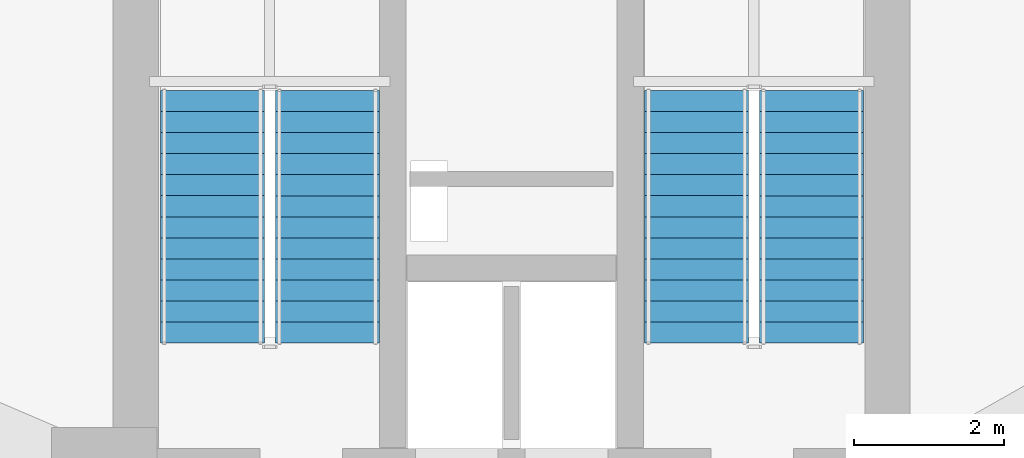
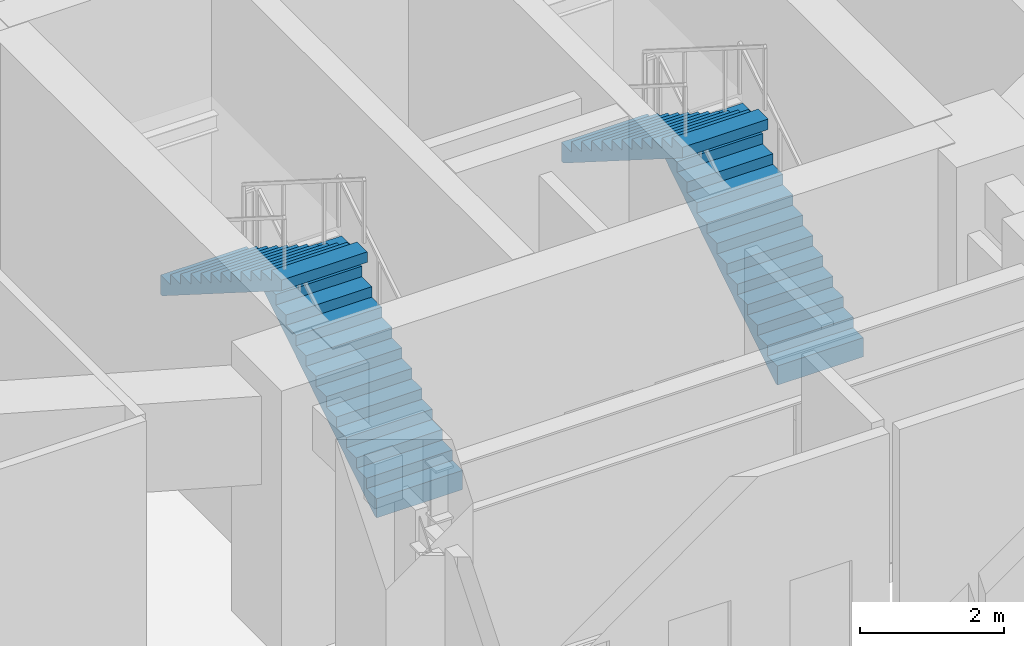
# One storey, part 7 of 9: 4 stair flights, 2 elements without a shape of their own.
"""IFC4 building model written with IfcOpenShell, lengths in metres."""

from ifc_helpers import new_model, si_unit, direction, frame, origin, place, context, subcontext, project, spatial, polyline, outline, extrude, material, type_object, element, aggregate, save


model = new_model("IFC4")

# Units and contexts
model_context = context("Model", 3, precision=1e-05, world=origin(), true_north=direction((0.0, 1.0)))
body_context = subcontext(model_context, "Body", "Model", "MODEL_VIEW")
ifc_project = project(units=[si_unit("LENGTHUNIT", "METRE"), si_unit("AREAUNIT", "SQUARE_METRE"), si_unit("VOLUMEUNIT", "CUBIC_METRE"), si_unit("PLANEANGLEUNIT", "RADIAN"), si_unit("MASSUNIT", "GRAM", prefix="KILO")], contexts=[model_context])

# Site, building, storey
site_placement = place(None, origin())
site = spatial("IfcSite", under=ifc_project, at=site_placement, CompositionType="ELEMENT")
building_placement = place(site_placement, origin())
building = spatial("IfcBuilding", under=site, at=building_placement, Name="Varnakorn Sky Granary", CompositionType="ELEMENT")
storey_placement = place(building_placement, frame((0.0, 0.0, 23.0)))
storey = spatial("IfcBuildingStorey", under=building, at=storey_placement, Name="L05", CompositionType="ELEMENT", Elevation=23.0)

# Stair, stair flights
ifc_material = material(Name="Concrete C40/50", Category="concrete")
stair_type = type_object("IfcStairType", Name="ST-MAIN-ASSEMBLY", PredefinedType="HALF_TURN_STAIR", material=ifc_material)
stair_1_placement = place(storey_placement, origin())
stair_1 = element("IfcStair", 1, at=stair_1_placement, inside=storey, type_object=stair_type, Name="L05 Protected Exit Stair ST-1", PredefinedType="HALF_TURN_STAIR")
stair_flight_type = type_object("IfcStairFlightType", Name="ST-MAIN-FLIGHT", PredefinedType="STRAIGHT", material=ifc_material)
stair_flight_1_placement = place(storey_placement, frame((0.550048828125, 5.199951171875, 0.0), z_axis=(0.0, 0.0, 1.0), x_axis=(0.0, 1.0, 0.0)))
stair_flight_1 = element("IfcStairFlight", 2, at=stair_flight_1_placement, type_object=stair_flight_type, Name="ST-1 flight 1", NumberOfRisers=13, NumberOfTreads=12, PredefinedType="STRAIGHT", RiserHeight=0.176923077, TreadLength=0.28, context=body_context, shape_type="SweptSolid", body=[
    extrude(outline(polyline([(0.0, -0.14990234375), (0.0, 0.0), (0.0, 0.177001953125), (0.280029296875, 0.177001953125), (0.280029296875, 0.353759765625), (0.56005859375, 0.353759765625), (0.56005859375, 0.53076171875), (0.840087890625, 0.53076171875), (0.840087890625, 0.707763671875), (1.1201171875, 0.707763671875), (1.1201171875, 0.884521484375), (1.39990234375, 0.884521484375), (1.39990234375, 1.0615234375), (1.679931640625, 1.0615234375), (1.679931640625, 1.238525390625), (1.9599609375, 1.238525390625), (1.9599609375, 1.415283203125), (2.239990234375, 1.415283203125), (2.239990234375, 1.59228515625), (2.52001953125, 1.59228515625), (2.52001953125, 1.769287109375), (2.800048828125, 1.769287109375), (2.800048828125, 1.946044921875), (3.080078125, 1.946044921875), (3.080078125, 2.123046875), (3.360107421875, 2.123046875), (3.360107421875, 2.300048828125), (3.360107421875, 1.94580078125), (0.050048828125, -0.14990234375), (0.0, -0.14990234375)])), frame((0.0, 0.68994140625, 0.0), z_axis=(0.0, -1.0, 0.0), x_axis=(1.0, 0.0, 0.0)), (0.0, 0.0, 1.0), 1.3798828125),
])
stair_flight_2_placement = place(storey_placement, frame((-0.97998046875, 8.56005859375, 2.300048828125), z_axis=(0.0, 0.0, 1.0), x_axis=(0.0, -1.0, 0.0)))
stair_flight_2 = element("IfcStairFlight", 3, at=stair_flight_2_placement, type_object=stair_flight_type, Name="ST-1 flight 2", NumberOfRisers=13, NumberOfTreads=12, PredefinedType="STRAIGHT", RiserHeight=0.176923077, TreadLength=0.28, context=body_context, shape_type="SweptSolid", body=[
    extrude(outline(polyline([(0.0, -0.14990234375), (0.0, 0.0), (0.0, 0.177001953125), (0.280029296875, 0.177001953125), (0.280029296875, 0.353759765625), (0.56005859375, 0.353759765625), (0.56005859375, 0.53076171875), (0.840087890625, 0.53076171875), (0.840087890625, 0.707763671875), (1.1201171875, 0.707763671875), (1.1201171875, 0.884521484375), (1.39990234375, 0.884521484375), (1.39990234375, 1.0615234375), (1.679931640625, 1.0615234375), (1.679931640625, 1.238525390625), (1.9599609375, 1.238525390625), (1.9599609375, 1.415283203125), (2.239990234375, 1.415283203125), (2.239990234375, 1.59228515625), (2.52001953125, 1.59228515625), (2.52001953125, 1.769287109375), (2.800048828125, 1.769287109375), (2.800048828125, 1.946044921875), (3.080078125, 1.946044921875), (3.080078125, 2.123046875), (3.360107421875, 2.123046875), (3.360107421875, 2.300048828125), (3.360107421875, 1.94580078125), (0.050048828125, -0.14990234375), (0.0, -0.14990234375)])), frame((0.0, 0.68994140625, 0.0), z_axis=(0.0, -1.0, 0.0), x_axis=(1.0, 0.0, 0.0)), (0.0, 0.0, 1.0), 1.3798828125),
])
aggregate(stair_1, [stair_flight_1, stair_flight_2])

stair_2_placement = place(storey_placement, origin())
stair_2 = element("IfcStair", 4, at=stair_2_placement, inside=storey, type_object=stair_type, Name="L05 Protected Exit Stair ST-2", PredefinedType="HALF_TURN_STAIR")
stair_flight_3_placement = place(storey_placement, frame((6.989990234375, 5.199951171875, 0.0), z_axis=(0.0, 0.0, 1.0), x_axis=(0.0, 1.0, 0.0)))
stair_flight_3 = element("IfcStairFlight", 5, at=stair_flight_3_placement, type_object=stair_flight_type, Name="ST-2 flight 1", NumberOfRisers=13, NumberOfTreads=12, PredefinedType="STRAIGHT", RiserHeight=0.176923077, TreadLength=0.28, context=body_context, shape_type="SweptSolid", body=[
    extrude(outline(polyline([(0.0, -0.14990234375), (0.0, 0.0), (0.0, 0.177001953125), (0.280029296875, 0.177001953125), (0.280029296875, 0.353759765625), (0.56005859375, 0.353759765625), (0.56005859375, 0.53076171875), (0.840087890625, 0.53076171875), (0.840087890625, 0.707763671875), (1.1201171875, 0.707763671875), (1.1201171875, 0.884521484375), (1.39990234375, 0.884521484375), (1.39990234375, 1.0615234375), (1.679931640625, 1.0615234375), (1.679931640625, 1.238525390625), (1.9599609375, 1.238525390625), (1.9599609375, 1.415283203125), (2.239990234375, 1.415283203125), (2.239990234375, 1.59228515625), (2.52001953125, 1.59228515625), (2.52001953125, 1.769287109375), (2.800048828125, 1.769287109375), (2.800048828125, 1.946044921875), (3.080078125, 1.946044921875), (3.080078125, 2.123046875), (3.360107421875, 2.123046875), (3.360107421875, 2.300048828125), (3.360107421875, 1.94580078125), (0.050048828125, -0.14990234375), (0.0, -0.14990234375)])), frame((0.0, 0.68994140625, 0.0), z_axis=(0.0, -1.0, 0.0), x_axis=(1.0, 0.0, 0.0)), (0.0, 0.0, 1.0), 1.3798828125),
])
stair_flight_4_placement = place(storey_placement, frame((5.4599609375, 8.56005859375, 2.300048828125), z_axis=(0.0, 0.0, 1.0), x_axis=(0.0, -1.0, 0.0)))
stair_flight_4 = element("IfcStairFlight", 6, at=stair_flight_4_placement, type_object=stair_flight_type, Name="ST-2 flight 2", NumberOfRisers=13, NumberOfTreads=12, PredefinedType="STRAIGHT", RiserHeight=0.176923077, TreadLength=0.28, context=body_context, shape_type="SweptSolid", body=[
    extrude(outline(polyline([(0.0, -0.14990234375), (0.0, 0.0), (0.0, 0.177001953125), (0.280029296875, 0.177001953125), (0.280029296875, 0.353759765625), (0.56005859375, 0.353759765625), (0.56005859375, 0.53076171875), (0.840087890625, 0.53076171875), (0.840087890625, 0.707763671875), (1.1201171875, 0.707763671875), (1.1201171875, 0.884521484375), (1.39990234375, 0.884521484375), (1.39990234375, 1.0615234375), (1.679931640625, 1.0615234375), (1.679931640625, 1.238525390625), (1.9599609375, 1.238525390625), (1.9599609375, 1.415283203125), (2.239990234375, 1.415283203125), (2.239990234375, 1.59228515625), (2.52001953125, 1.59228515625), (2.52001953125, 1.769287109375), (2.800048828125, 1.769287109375), (2.800048828125, 1.946044921875), (3.080078125, 1.946044921875), (3.080078125, 2.123046875), (3.360107421875, 2.123046875), (3.360107421875, 2.300048828125), (3.360107421875, 1.94580078125), (0.050048828125, -0.14990234375), (0.0, -0.14990234375)])), frame((0.0, 0.68994140625, 0.0), z_axis=(0.0, -1.0, 0.0), x_axis=(1.0, 0.0, 0.0)), (0.0, 0.0, 1.0), 1.3798828125),
])
aggregate(stair_2, [stair_flight_3, stair_flight_4])

save(model, "model.ifc")
